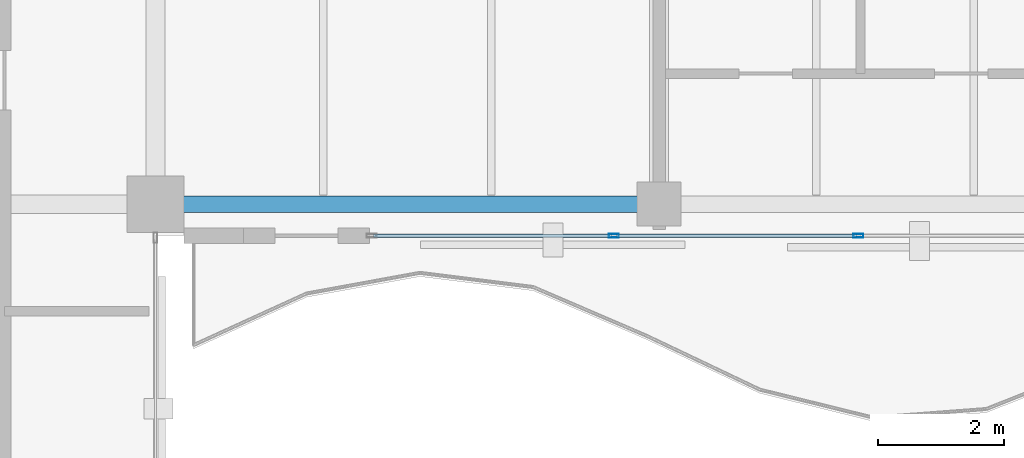
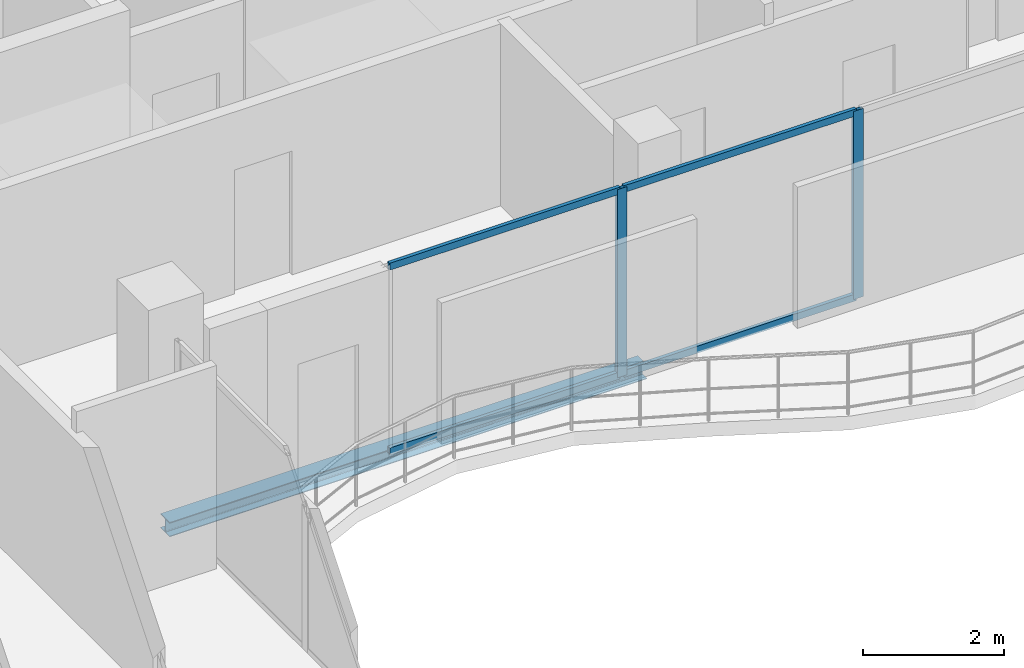
# One storey, part 9 of 22: 6 members, 1 beam, 1 element without a shape of its own.
"""IFC4 building model written with IfcOpenShell, lengths in metres."""

from ifc_helpers import new_model, si_unit, direction, frame, origin, origin_2d, place, context, subcontext, project, spatial, hollow_rectangle, i_section, extrude, material, layer, layer_set, material_profile, profile_set, type_object, element, aggregate, save


model = new_model("IFC4")

# Units and contexts
model_context = context("Model", 3, precision=1e-05, world=origin(), true_north=direction((0.0, 1.0)))
body_context = subcontext(model_context, "Body", "Model", "MODEL_VIEW")
ifc_project = project(units=[si_unit("LENGTHUNIT", "METRE"), si_unit("AREAUNIT", "SQUARE_METRE"), si_unit("VOLUMEUNIT", "CUBIC_METRE"), si_unit("PLANEANGLEUNIT", "RADIAN"), si_unit("MASSUNIT", "GRAM", prefix="KILO")], contexts=[model_context])

# Site, building, storey
site_placement = place(None, origin())
site = spatial("IfcSite", under=ifc_project, at=site_placement, CompositionType="ELEMENT")
building_placement = place(site_placement, origin())
building = spatial("IfcBuilding", under=site, at=building_placement, Name="Catumbela Crestline Tower", CompositionType="ELEMENT")
storey_placement = place(building_placement, frame((0.0, 0.0, 256.4)))
storey = spatial("IfcBuildingStorey", under=building, at=storey_placement, Name="L66", CompositionType="ELEMENT", Elevation=256.4)

# Curtain wall, members
ifc_material_1 = material(Name="Aluminium alloy AW-6060-T66", Category="aluminium")
ifc_layer = layer(ifc_material_1, 0.18, Name="Aluminium alloy AW-6060-T66")
ifc_layer_set = layer_set([ifc_layer], Name="Aluminium alloy AW-6060-T66")
curtain_wall_type = type_object("IfcCurtainWallType", Name="CWU-Z4", PredefinedType="USERDEFINED", material=ifc_layer_set)
curtain_wall_placement = place(storey_placement, origin())
curtain_wall = element("IfcCurtainWall", 1, at=curtain_wall_placement, inside=storey, type_object=curtain_wall_type, Name="L66 Unitised Curtain Wall CW-L66-E3S2", ObjectType="UNITISED", PredefinedType="USERDEFINED")
ifc_material_profile_1 = material_profile(ifc_material_1, hollow_rectangle(XDim=0.06, YDim=0.16, WallThickness=0.004, at=origin_2d()), Name="ALU 160x60x4")
ifc_profile_set_1 = profile_set([ifc_material_profile_1], Name="Aluminium alloy AW-6060-T66")
member_type_1 = type_object("IfcMemberType", Name="MUL-160X60", PredefinedType="MULLION", material=ifc_profile_set_1)
member_1_placement = place(storey_placement, frame((31.2833, 24.0, 0.0), z_axis=(0.0, 0.0, 1.0), x_axis=(0.0, 1.0, 0.0)))
member_1 = element("IfcMember", 2, at=member_1_placement, type_object=member_type_1, Name="CWU-Z4 mullion 2", PredefinedType="MULLION", context=body_context, shape_type="SweptSolid", body=[
    extrude(hollow_rectangle(XDim=0.06, YDim=0.16, WallThickness=0.004, at=origin_2d()), origin(), (0.0, 0.0, 1.0), 3.27),
])
member_2_placement = place(storey_placement, frame((35.1667, 24.0, 0.0), z_axis=(0.0, 0.0, 1.0), x_axis=(0.0, 1.0, 0.0)))
member_2 = element("IfcMember", 3, at=member_2_placement, type_object=member_type_1, Name="CWU-Z4 mullion 3", PredefinedType="MULLION", context=body_context, shape_type="SweptSolid", body=[
    extrude(hollow_rectangle(XDim=0.06, YDim=0.16, WallThickness=0.004, at=origin_2d()), origin(), (0.0, 0.0, 1.0), 3.27),
])

# Beam
ifc_material_2 = material(Name="Structural steel S355J2", Category="steel")
ifc_material_profile_2 = material_profile(ifc_material_2, i_section(OverallWidth=0.26, OverallDepth=0.25, WebThickness=0.0075, FlangeThickness=0.0125, FilletRadius=0.024, at=origin_2d()), Name="HEA 260")
ifc_profile_set_2 = profile_set([ifc_material_profile_2], Name="Structural steel S355J2")
beam_type = type_object("IfcBeamType", Name="BS-HEA260", PredefinedType="SPANDREL", material=ifc_profile_set_2)
beam_placement = place(storey_placement, frame((24.08, 24.5, -0.385), z_axis=(1.0, 0.0, 0.0), x_axis=(0.0, 1.0, 0.0)))
element("IfcBeam", 4, at=beam_placement, inside=storey, type_object=beam_type, Name="L66 Spandrel SP-L66-S04", PredefinedType="SPANDREL", context=body_context, shape_type="SweptSolid", body=[
    extrude(i_section(OverallWidth=0.26, OverallDepth=0.25, WebThickness=0.0075, FlangeThickness=0.0125, FilletRadius=0.024, at=origin_2d()), origin(), (0.0, 0.0, 1.0), 7.84),
])

# Member
ifc_material_profile_3 = material_profile(ifc_material_1, hollow_rectangle(XDim=0.06, YDim=0.12, WallThickness=0.0035, at=origin_2d()), Name="ALU 120x60x3.5")
ifc_profile_set_3 = profile_set([ifc_material_profile_3], Name="Aluminium alloy AW-6060-T66")
member_type_2 = type_object("IfcMemberType", Name="TRN-120X60", PredefinedType="USERDEFINED", material=ifc_profile_set_3)
member_3_placement = place(storey_placement, frame((27.465, 24.0, 0.03), z_axis=(1.0, 0.0, 0.0), x_axis=(0.0, 1.0, 0.0)))
member_3 = element("IfcMember", 5, at=member_3_placement, type_object=member_type_2, Name="CWU-Z4 transom 1.1", ObjectType="TRANSOM", PredefinedType="USERDEFINED", context=body_context, shape_type="SweptSolid", body=[
    extrude(hollow_rectangle(XDim=0.06, YDim=0.12, WallThickness=0.0035, at=origin_2d()), origin(), (0.0, 0.0, 1.0), 3.7858),
])

member_4_placement = place(storey_placement, frame((27.465, 24.0, 3.24), z_axis=(1.0, 0.0, 0.0), x_axis=(0.0, 1.0, 0.0)))
member_4 = element("IfcMember", 6, at=member_4_placement, type_object=member_type_2, Name="CWU-Z4 transom 1.2", ObjectType="TRANSOM", PredefinedType="USERDEFINED", context=body_context, shape_type="SweptSolid", body=[
    extrude(hollow_rectangle(XDim=0.06, YDim=0.12, WallThickness=0.0035, at=origin_2d()), origin(), (0.0, 0.0, 1.0), 3.7858),
])

member_5_placement = place(storey_placement, frame((31.3158, 24.0, 0.03), z_axis=(1.0, 0.0, 0.0), x_axis=(0.0, 1.0, 0.0)))
member_5 = element("IfcMember", 7, at=member_5_placement, type_object=member_type_2, Name="CWU-Z4 transom 2.1", ObjectType="TRANSOM", PredefinedType="USERDEFINED", context=body_context, shape_type="SweptSolid", body=[
    extrude(hollow_rectangle(XDim=0.06, YDim=0.12, WallThickness=0.0035, at=origin_2d()), origin(), (0.0, 0.0, 1.0), 3.8184),
])

member_6_placement = place(storey_placement, frame((31.3158, 24.0, 3.24), z_axis=(1.0, 0.0, 0.0), x_axis=(0.0, 1.0, 0.0)))
member_6 = element("IfcMember", 8, at=member_6_placement, type_object=member_type_2, Name="CWU-Z4 transom 2.2", ObjectType="TRANSOM", PredefinedType="USERDEFINED", context=body_context, shape_type="SweptSolid", body=[
    extrude(hollow_rectangle(XDim=0.06, YDim=0.12, WallThickness=0.0035, at=origin_2d()), origin(), (0.0, 0.0, 1.0), 3.8184),
])

aggregate(curtain_wall, [member_1, member_2, member_3, member_4, member_5, member_6])

save(model, "model.ifc")
